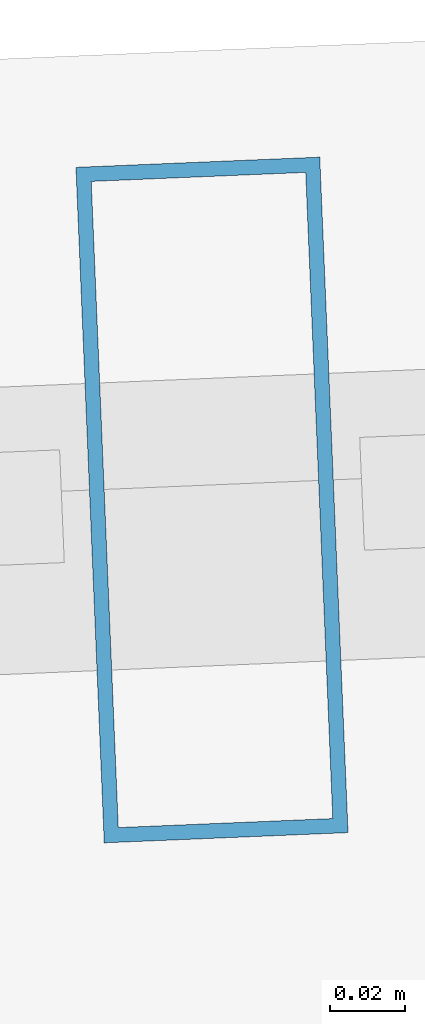
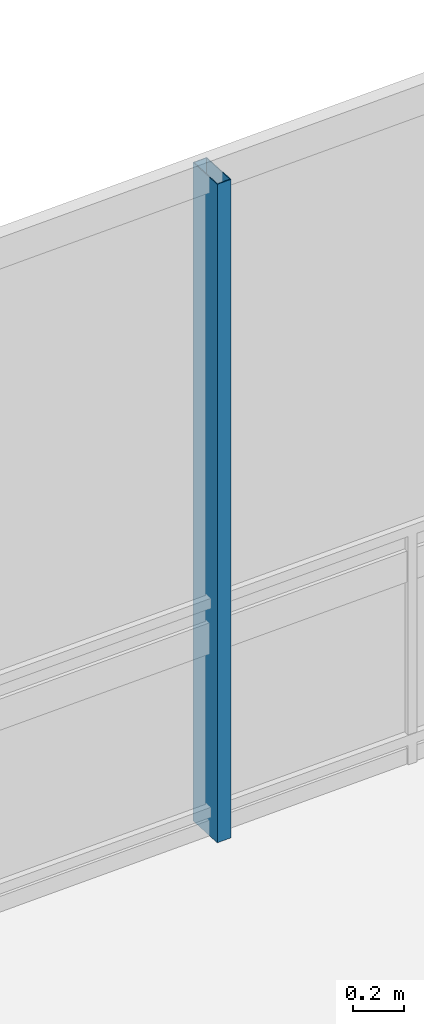
# One storey, part 18 of 25: 1 member, 1 element without a shape of its own.
"""IFC4 building model written with IfcOpenShell, lengths in metres."""

from ifc_helpers import new_model, si_unit, direction, frame, origin, origin_2d, place, context, subcontext, project, spatial, hollow_rectangle, extrude, material, layer, layer_set, material_profile, profile_set, type_object, element, aggregate, save


model = new_model("IFC4")

# Units and contexts
model_context = context("Model", 3, precision=1e-05, world=origin(), true_north=direction((0.0, 1.0)))
body_context = subcontext(model_context, "Body", "Model", "MODEL_VIEW")
ifc_project = project(units=[si_unit("LENGTHUNIT", "METRE"), si_unit("AREAUNIT", "SQUARE_METRE"), si_unit("VOLUMEUNIT", "CUBIC_METRE"), si_unit("PLANEANGLEUNIT", "RADIAN"), si_unit("MASSUNIT", "GRAM", prefix="KILO")], contexts=[model_context])

# Site, building, storey
site_placement = place(None, origin())
site = spatial("IfcSite", under=ifc_project, at=site_placement, CompositionType="ELEMENT")
building_placement = place(site_placement, origin())
building = spatial("IfcBuilding", under=site, at=building_placement, Name="Qarnah Convention Tower", CompositionType="ELEMENT")
storey_placement = place(building_placement, frame((0.0, 0.0, 76.35009765625)))
storey = spatial("IfcBuildingStorey", under=building, at=storey_placement, Name="L19", CompositionType="ELEMENT", Elevation=76.35009765625)

# Curtain wall, member
ifc_material_1 = material(Name="Tempered Low-E dark glass", Category="glass")
ifc_layer = layer(ifc_material_1, 0.169921875)
ifc_layer_set = layer_set([ifc_layer], Name="Tempered Low-E dark glass")
curtain_wall_type = type_object("IfcCurtainWallType", Name="CWS-02", PredefinedType="NOTDEFINED", material=ifc_layer_set)
curtain_wall_placement = place(storey_placement, origin())
curtain_wall = element("IfcCurtainWall", 1, at=curtain_wall_placement, inside=storey, type_object=curtain_wall_type, Name="L19 unitised curtain wall CW-L19-F4", PredefinedType="NOTDEFINED")
ifc_material_2 = material(Name="Black anodised aluminium", Category="aluminium")
ifc_material_profile = material_profile(ifc_material_2, hollow_rectangle(XDim=0.06494140625, YDim=0.179931640625, WallThickness=0.00390625, at=origin_2d()), Name="MUL-65X180")
ifc_profile_set = profile_set([ifc_material_profile], Name="Black anodised aluminium")
member_type = type_object("IfcMemberType", Name="MUL-T2", PredefinedType="MULLION", material=ifc_profile_set)
member_placement = place(storey_placement, frame((40.8037109375, 44.485595703125, 0.0), z_axis=(0.0, 0.0, 1.0), x_axis=(0.999123070538, 0.041869916632, 0.0)))
member = element("IfcMember", 2, at=member_placement, type_object=member_type, Name="CW-L19-F4 mullion 4", PredefinedType="MULLION", context=body_context, shape_type="SweptSolid", body=[
    extrude(hollow_rectangle(XDim=0.06494140625, YDim=0.179931640625, WallThickness=0.00390625, at=origin_2d()), origin(), (0.0, 0.0, 1.0), 3.169921875),
])
aggregate(curtain_wall, [member])

save(model, "model.ifc")
